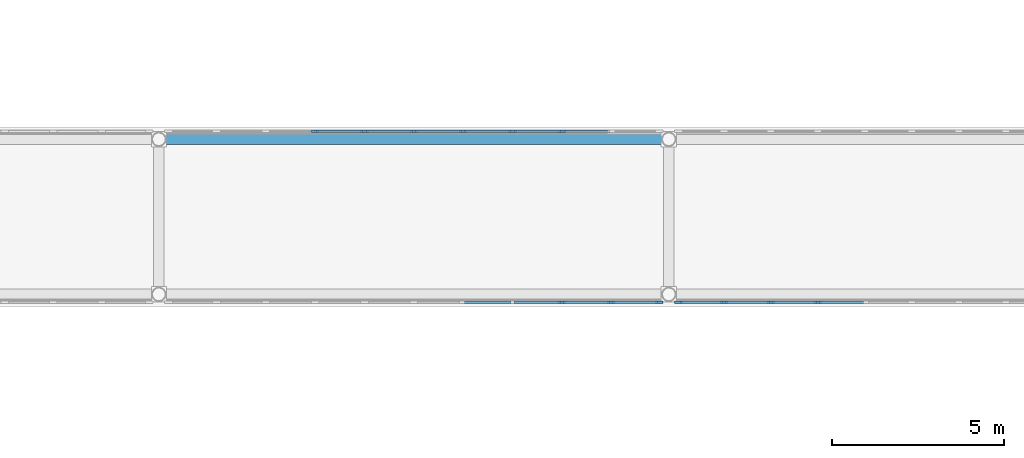
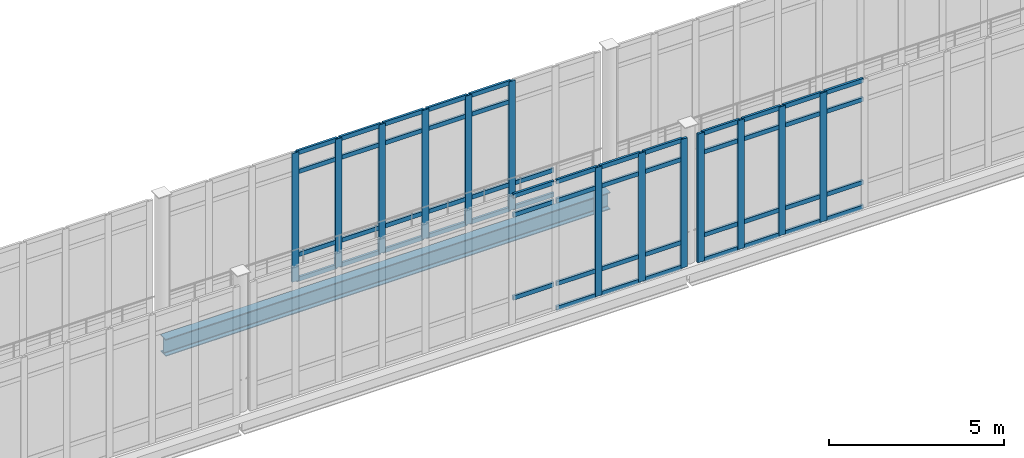
# One storey, part 21 of 89: 66 members, 1 beam, 3 elements without a shape of their own.
"""IFC4 building model written with IfcOpenShell, lengths in metres."""

from ifc_helpers import new_model, si_unit, direction, frame, origin, origin_2d, place, context, subcontext, project, spatial, rectangle, i_section, extrude, material, material_profile, profile_set, type_object, element, aggregate, save


model = new_model("IFC4")

# Units and contexts
model_context = context("Model", 3, precision=1e-05, world=origin(), true_north=direction((0.0, 1.0)))
body_context = subcontext(model_context, "Body", "Model", "MODEL_VIEW")
ifc_project = project(units=[si_unit("LENGTHUNIT", "METRE"), si_unit("AREAUNIT", "SQUARE_METRE"), si_unit("VOLUMEUNIT", "CUBIC_METRE"), si_unit("PLANEANGLEUNIT", "RADIAN"), si_unit("MASSUNIT", "GRAM", prefix="KILO")], contexts=[model_context])

# Site, building, storey
site_placement = place(None, origin())
site = spatial("IfcSite", under=ifc_project, at=site_placement, CompositionType="ELEMENT")
building_placement = place(site_placement, origin())
building = spatial("IfcBuilding", under=site, at=building_placement, Name="Soyqirgoq Riverine Aquarium", CompositionType="ELEMENT")
storey_placement = place(building_placement, frame((0.0, 0.0, 5.39990234375)))
storey = spatial("IfcBuildingStorey", under=building, at=storey_placement, Name="L02", CompositionType="ELEMENT", Elevation=5.39990234375)

# Curtain wall, members
ifc_material_1 = material(Name="Laminated solar-control bridge curtain wall", Category="aluminium")
curtain_wall_type = type_object("IfcCurtainWallType", Name="CW_Bridge_Concourse", PredefinedType="NOTDEFINED", material=ifc_material_1)
curtain_wall_1_placement = place(storey_placement, origin())
curtain_wall_1 = element("IfcCurtainWall", 1, at=curtain_wall_1_placement, inside=storey, type_object=curtain_wall_type, Name="BR-1 L02 Curtain Wall 136", PredefinedType="NOTDEFINED")
ifc_material_2 = material(Name="Anodised aluminium 6063-T6", Category="aluminium")
ifc_material_profile_1 = material_profile(ifc_material_2, rectangle(XDim=0.080078125, YDim=0.219970703125, at=origin_2d()), Name="ALU-M 80x220")
ifc_profile_set_1 = profile_set([ifc_material_profile_1], Name="Anodised aluminium 6063-T6")
member_type_1 = type_object("IfcMemberType", Name="CWMullion_80x220", PredefinedType="MULLION", material=ifc_profile_set_1)
member_1_placement = place(storey_placement, frame((95.89599609375, 39.919921875, 0.0), z_axis=(0.0, 0.0, 1.0), x_axis=(0.0, 1.0, 0.0)))
member_1 = element("IfcMember", 2, at=member_1_placement, type_object=member_type_1, Name="CW-06 mullion 9", PredefinedType="MULLION", context=body_context, shape_type="SweptSolid", body=[
    extrude(rectangle(XDim=0.080078125, YDim=0.219970703125, at=origin_2d()), origin(), (0.0, 0.0, 1.0), 4.5),
])
member_2_placement = place(storey_placement, frame((97.327880859375, 39.919921875, 0.0), z_axis=(0.0, 0.0, 1.0), x_axis=(0.0, 1.0, 0.0)))
member_2 = element("IfcMember", 3, at=member_2_placement, type_object=member_type_1, Name="CW-06 mullion 10", PredefinedType="MULLION", context=body_context, shape_type="SweptSolid", body=[
    extrude(rectangle(XDim=0.080078125, YDim=0.219970703125, at=origin_2d()), origin(), (0.0, 0.0, 1.0), 4.5),
])
member_3_placement = place(storey_placement, frame((98.719970703125, 39.919921875, 0.0), z_axis=(0.0, 0.0, 1.0), x_axis=(0.0, 1.0, 0.0)))
member_3 = element("IfcMember", 4, at=member_3_placement, type_object=member_type_1, Name="CW-06 mullion 11", PredefinedType="MULLION", context=body_context, shape_type="SweptSolid", body=[
    extrude(rectangle(XDim=0.080078125, YDim=0.219970703125, at=origin_2d()), origin(), (0.0, 0.0, 1.0), 4.5),
])

curtain_wall_2_placement = place(storey_placement, origin())
curtain_wall_2 = element("IfcCurtainWall", 5, at=curtain_wall_2_placement, inside=storey, type_object=curtain_wall_type, Name="BR-1 L02 Curtain Wall 137", PredefinedType="NOTDEFINED")
member_4_placement = place(storey_placement, frame((99.280029296875, 39.919921875, 0.0), z_axis=(0.0, 0.0, 1.0), x_axis=(0.0, 1.0, 0.0)))
member_4 = element("IfcMember", 6, at=member_4_placement, type_object=member_type_1, Name="CW-06 mullion 1", PredefinedType="MULLION", context=body_context, shape_type="SweptSolid", body=[
    extrude(rectangle(XDim=0.080078125, YDim=0.219970703125, at=origin_2d()), origin(), (0.0, 0.0, 1.0), 4.5),
])
member_5_placement = place(storey_placement, frame((100.60205078125, 39.919921875, 0.0), z_axis=(0.0, 0.0, 1.0), x_axis=(0.0, 1.0, 0.0)))
member_5 = element("IfcMember", 7, at=member_5_placement, type_object=member_type_1, Name="CW-06 mullion 2", PredefinedType="MULLION", context=body_context, shape_type="SweptSolid", body=[
    extrude(rectangle(XDim=0.080078125, YDim=0.219970703125, at=origin_2d()), origin(), (0.0, 0.0, 1.0), 4.5),
])
member_6_placement = place(storey_placement, frame((101.964111328125, 39.919921875, 0.0), z_axis=(0.0, 0.0, 1.0), x_axis=(0.0, 1.0, 0.0)))
member_6 = element("IfcMember", 8, at=member_6_placement, type_object=member_type_1, Name="CW-06 mullion 3", PredefinedType="MULLION", context=body_context, shape_type="SweptSolid", body=[
    extrude(rectangle(XDim=0.080078125, YDim=0.219970703125, at=origin_2d()), origin(), (0.0, 0.0, 1.0), 4.5),
])
member_7_placement = place(storey_placement, frame((103.325927734375, 39.919921875, 0.0), z_axis=(0.0, 0.0, 1.0), x_axis=(0.0, 1.0, 0.0)))
member_7 = element("IfcMember", 9, at=member_7_placement, type_object=member_type_1, Name="CW-06 mullion 4", PredefinedType="MULLION", context=body_context, shape_type="SweptSolid", body=[
    extrude(rectangle(XDim=0.080078125, YDim=0.219970703125, at=origin_2d()), origin(), (0.0, 0.0, 1.0), 4.5),
])

curtain_wall_3_placement = place(storey_placement, origin())
curtain_wall_3 = element("IfcCurtainWall", 10, at=curtain_wall_3_placement, inside=storey, type_object=curtain_wall_type, Name="BR-1 L02 Curtain Wall 139", PredefinedType="NOTDEFINED")
member_8_placement = place(storey_placement, frame((88.736083984375, 44.8798828125, 0.0), z_axis=(0.0, 0.0, 1.0), x_axis=(0.0, 1.0, 0.0)))
member_8 = element("IfcMember", 11, at=member_8_placement, type_object=member_type_1, Name="CW-06 mullion 4", PredefinedType="MULLION", context=body_context, shape_type="SweptSolid", body=[
    extrude(rectangle(XDim=0.080078125, YDim=0.219970703125, at=origin_2d()), origin(), (0.0, 0.0, 1.0), 4.5),
])
member_9_placement = place(storey_placement, frame((90.16796875, 44.8798828125, 0.0), z_axis=(0.0, 0.0, 1.0), x_axis=(0.0, 1.0, 0.0)))
member_9 = element("IfcMember", 12, at=member_9_placement, type_object=member_type_1, Name="CW-06 mullion 5", PredefinedType="MULLION", context=body_context, shape_type="SweptSolid", body=[
    extrude(rectangle(XDim=0.080078125, YDim=0.219970703125, at=origin_2d()), origin(), (0.0, 0.0, 1.0), 4.5),
])
member_10_placement = place(storey_placement, frame((91.60009765625, 44.8798828125, 0.0), z_axis=(0.0, 0.0, 1.0), x_axis=(0.0, 1.0, 0.0)))
member_10 = element("IfcMember", 13, at=member_10_placement, type_object=member_type_1, Name="CW-06 mullion 6", PredefinedType="MULLION", context=body_context, shape_type="SweptSolid", body=[
    extrude(rectangle(XDim=0.080078125, YDim=0.219970703125, at=origin_2d()), origin(), (0.0, 0.0, 1.0), 4.5),
])
member_11_placement = place(storey_placement, frame((93.031982421875, 44.8798828125, 0.0), z_axis=(0.0, 0.0, 1.0), x_axis=(0.0, 1.0, 0.0)))
member_11 = element("IfcMember", 14, at=member_11_placement, type_object=member_type_1, Name="CW-06 mullion 7", PredefinedType="MULLION", context=body_context, shape_type="SweptSolid", body=[
    extrude(rectangle(XDim=0.080078125, YDim=0.219970703125, at=origin_2d()), origin(), (0.0, 0.0, 1.0), 4.5),
])
member_12_placement = place(storey_placement, frame((94.464111328125, 44.8798828125, 0.0), z_axis=(0.0, 0.0, 1.0), x_axis=(0.0, 1.0, 0.0)))
member_12 = element("IfcMember", 15, at=member_12_placement, type_object=member_type_1, Name="CW-06 mullion 8", PredefinedType="MULLION", context=body_context, shape_type="SweptSolid", body=[
    extrude(rectangle(XDim=0.080078125, YDim=0.219970703125, at=origin_2d()), origin(), (0.0, 0.0, 1.0), 4.5),
])
member_13_placement = place(storey_placement, frame((95.89599609375, 44.8798828125, 0.0), z_axis=(0.0, 0.0, 1.0), x_axis=(0.0, 1.0, 0.0)))
member_13 = element("IfcMember", 16, at=member_13_placement, type_object=member_type_1, Name="CW-06 mullion 9", PredefinedType="MULLION", context=body_context, shape_type="SweptSolid", body=[
    extrude(rectangle(XDim=0.080078125, YDim=0.219970703125, at=origin_2d()), origin(), (0.0, 0.0, 1.0), 4.5),
])

# Member
ifc_material_3 = material(Name="Anodised aluminium 6063-T6", Category="aluminium")
ifc_material_profile_2 = material_profile(ifc_material_3, rectangle(XDim=0.074951171875, YDim=0.14990234375, at=origin_2d()), Name="ALU-T 75x150")
ifc_profile_set_2 = profile_set([ifc_material_profile_2], Name="Anodised aluminium 6063-T6")
member_type_2 = type_object("IfcMemberType", Name="CWTransom_75x150", PredefinedType="USERDEFINED", material=ifc_profile_set_2)
member_14_placement = place(storey_placement, frame((93.072021484375, 39.919921875, 0.900146484375), z_axis=(1.0, 0.0, 0.0), x_axis=(0.0, 1.0, 0.0)))
member_14 = element("IfcMember", 17, at=member_14_placement, type_object=member_type_2, Name="CW-06 transom 7.2", ObjectType="TRANSOM", PredefinedType="USERDEFINED", context=body_context, shape_type="SweptSolid", body=[
    extrude(rectangle(XDim=0.074951171875, YDim=0.14990234375, at=origin_2d()), origin(), (0.0, 0.0, 1.0), 1.35205078125),
])

member_15_placement = place(storey_placement, frame((93.072021484375, 39.919921875, 3.800048828125), z_axis=(1.0, 0.0, 0.0), x_axis=(0.0, 1.0, 0.0)))
member_15 = element("IfcMember", 18, at=member_15_placement, type_object=member_type_2, Name="CW-06 transom 7.3", ObjectType="TRANSOM", PredefinedType="USERDEFINED", context=body_context, shape_type="SweptSolid", body=[
    extrude(rectangle(XDim=0.074951171875, YDim=0.14990234375, at=origin_2d()), origin(), (0.0, 0.0, 1.0), 1.35205078125),
])

member_16_placement = place(storey_placement, frame((93.072021484375, 39.919921875, 4.462646484375), z_axis=(1.0, 0.0, 0.0), x_axis=(0.0, 1.0, 0.0)))
member_16 = element("IfcMember", 19, at=member_16_placement, type_object=member_type_2, Name="CW-06 transom 7.4", ObjectType="TRANSOM", PredefinedType="USERDEFINED", context=body_context, shape_type="SweptSolid", body=[
    extrude(rectangle(XDim=0.074951171875, YDim=0.14990234375, at=origin_2d()), origin(), (0.0, 0.0, 1.0), 1.35205078125),
])

member_17_placement = place(storey_placement, frame((94.50390625, 39.919921875, 0.03759765625), z_axis=(1.0, 0.0, 0.0), x_axis=(0.0, 1.0, 0.0)))
member_17 = element("IfcMember", 20, at=member_17_placement, type_object=member_type_2, Name="CW-06 transom 8.1", ObjectType="TRANSOM", PredefinedType="USERDEFINED", context=body_context, shape_type="SweptSolid", body=[
    extrude(rectangle(XDim=0.074951171875, YDim=0.14990234375, at=origin_2d()), origin(), (0.0, 0.0, 1.0), 1.35205078125),
])

member_18_placement = place(storey_placement, frame((94.50390625, 39.919921875, 0.900146484375), z_axis=(1.0, 0.0, 0.0), x_axis=(0.0, 1.0, 0.0)))
member_18 = element("IfcMember", 21, at=member_18_placement, type_object=member_type_2, Name="CW-06 transom 8.2", ObjectType="TRANSOM", PredefinedType="USERDEFINED", context=body_context, shape_type="SweptSolid", body=[
    extrude(rectangle(XDim=0.074951171875, YDim=0.14990234375, at=origin_2d()), origin(), (0.0, 0.0, 1.0), 1.35205078125),
])

member_19_placement = place(storey_placement, frame((94.50390625, 39.919921875, 3.800048828125), z_axis=(1.0, 0.0, 0.0), x_axis=(0.0, 1.0, 0.0)))
member_19 = element("IfcMember", 22, at=member_19_placement, type_object=member_type_2, Name="CW-06 transom 8.3", ObjectType="TRANSOM", PredefinedType="USERDEFINED", context=body_context, shape_type="SweptSolid", body=[
    extrude(rectangle(XDim=0.074951171875, YDim=0.14990234375, at=origin_2d()), origin(), (0.0, 0.0, 1.0), 1.35205078125),
])

member_20_placement = place(storey_placement, frame((94.50390625, 39.919921875, 4.462646484375), z_axis=(1.0, 0.0, 0.0), x_axis=(0.0, 1.0, 0.0)))
member_20 = element("IfcMember", 23, at=member_20_placement, type_object=member_type_2, Name="CW-06 transom 8.4", ObjectType="TRANSOM", PredefinedType="USERDEFINED", context=body_context, shape_type="SweptSolid", body=[
    extrude(rectangle(XDim=0.074951171875, YDim=0.14990234375, at=origin_2d()), origin(), (0.0, 0.0, 1.0), 1.35205078125),
])

member_21_placement = place(storey_placement, frame((95.93603515625, 39.919921875, 0.03759765625), z_axis=(1.0, 0.0, 0.0), x_axis=(0.0, 1.0, 0.0)))
member_21 = element("IfcMember", 24, at=member_21_placement, type_object=member_type_2, Name="CW-06 transom 9.1", ObjectType="TRANSOM", PredefinedType="USERDEFINED", context=body_context, shape_type="SweptSolid", body=[
    extrude(rectangle(XDim=0.074951171875, YDim=0.14990234375, at=origin_2d()), origin(), (0.0, 0.0, 1.0), 1.35205078125),
])

member_22_placement = place(storey_placement, frame((95.93603515625, 39.919921875, 0.900146484375), z_axis=(1.0, 0.0, 0.0), x_axis=(0.0, 1.0, 0.0)))
member_22 = element("IfcMember", 25, at=member_22_placement, type_object=member_type_2, Name="CW-06 transom 9.2", ObjectType="TRANSOM", PredefinedType="USERDEFINED", context=body_context, shape_type="SweptSolid", body=[
    extrude(rectangle(XDim=0.074951171875, YDim=0.14990234375, at=origin_2d()), origin(), (0.0, 0.0, 1.0), 1.35205078125),
])

member_23_placement = place(storey_placement, frame((95.93603515625, 39.919921875, 3.800048828125), z_axis=(1.0, 0.0, 0.0), x_axis=(0.0, 1.0, 0.0)))
member_23 = element("IfcMember", 26, at=member_23_placement, type_object=member_type_2, Name="CW-06 transom 9.3", ObjectType="TRANSOM", PredefinedType="USERDEFINED", context=body_context, shape_type="SweptSolid", body=[
    extrude(rectangle(XDim=0.074951171875, YDim=0.14990234375, at=origin_2d()), origin(), (0.0, 0.0, 1.0), 1.35205078125),
])

member_24_placement = place(storey_placement, frame((95.93603515625, 39.919921875, 4.462646484375), z_axis=(1.0, 0.0, 0.0), x_axis=(0.0, 1.0, 0.0)))
member_24 = element("IfcMember", 27, at=member_24_placement, type_object=member_type_2, Name="CW-06 transom 9.4", ObjectType="TRANSOM", PredefinedType="USERDEFINED", context=body_context, shape_type="SweptSolid", body=[
    extrude(rectangle(XDim=0.074951171875, YDim=0.14990234375, at=origin_2d()), origin(), (0.0, 0.0, 1.0), 1.35205078125),
])

member_25_placement = place(storey_placement, frame((97.367919921875, 39.919921875, 0.03759765625), z_axis=(1.0, 0.0, 0.0), x_axis=(0.0, 1.0, 0.0)))
member_25 = element("IfcMember", 28, at=member_25_placement, type_object=member_type_2, Name="CW-06 transom 10.1", ObjectType="TRANSOM", PredefinedType="USERDEFINED", context=body_context, shape_type="SweptSolid", body=[
    extrude(rectangle(XDim=0.074951171875, YDim=0.14990234375, at=origin_2d()), origin(), (0.0, 0.0, 1.0), 1.31201171875),
])

member_26_placement = place(storey_placement, frame((97.367919921875, 39.919921875, 0.900146484375), z_axis=(1.0, 0.0, 0.0), x_axis=(0.0, 1.0, 0.0)))
member_26 = element("IfcMember", 29, at=member_26_placement, type_object=member_type_2, Name="CW-06 transom 10.2", ObjectType="TRANSOM", PredefinedType="USERDEFINED", context=body_context, shape_type="SweptSolid", body=[
    extrude(rectangle(XDim=0.074951171875, YDim=0.14990234375, at=origin_2d()), origin(), (0.0, 0.0, 1.0), 1.31201171875),
])

member_27_placement = place(storey_placement, frame((97.367919921875, 39.919921875, 3.800048828125), z_axis=(1.0, 0.0, 0.0), x_axis=(0.0, 1.0, 0.0)))
member_27 = element("IfcMember", 30, at=member_27_placement, type_object=member_type_2, Name="CW-06 transom 10.3", ObjectType="TRANSOM", PredefinedType="USERDEFINED", context=body_context, shape_type="SweptSolid", body=[
    extrude(rectangle(XDim=0.074951171875, YDim=0.14990234375, at=origin_2d()), origin(), (0.0, 0.0, 1.0), 1.31201171875),
])

member_28_placement = place(storey_placement, frame((97.367919921875, 39.919921875, 4.462646484375), z_axis=(1.0, 0.0, 0.0), x_axis=(0.0, 1.0, 0.0)))
member_28 = element("IfcMember", 31, at=member_28_placement, type_object=member_type_2, Name="CW-06 transom 10.4", ObjectType="TRANSOM", PredefinedType="USERDEFINED", context=body_context, shape_type="SweptSolid", body=[
    extrude(rectangle(XDim=0.074951171875, YDim=0.14990234375, at=origin_2d()), origin(), (0.0, 0.0, 1.0), 1.31201171875),
])

aggregate(curtain_wall_1, [member_1, member_2, member_3, member_14, member_15, member_16, member_17, member_18, member_19, member_20, member_21, member_22, member_23, member_24, member_25, member_26, member_27, member_28])

member_29_placement = place(storey_placement, frame((99.320068359375, 39.919921875, 0.03759765625), z_axis=(1.0, 0.0, 0.0), x_axis=(0.0, 1.0, 0.0)))
member_29 = element("IfcMember", 32, at=member_29_placement, type_object=member_type_2, Name="CW-06 transom 1.1", ObjectType="TRANSOM", PredefinedType="USERDEFINED", context=body_context, shape_type="SweptSolid", body=[
    extrude(rectangle(XDim=0.074951171875, YDim=0.14990234375, at=origin_2d()), origin(), (0.0, 0.0, 1.0), 1.241943359375),
])

member_30_placement = place(storey_placement, frame((99.320068359375, 39.919921875, 0.900146484375), z_axis=(1.0, 0.0, 0.0), x_axis=(0.0, 1.0, 0.0)))
member_30 = element("IfcMember", 33, at=member_30_placement, type_object=member_type_2, Name="CW-06 transom 1.2", ObjectType="TRANSOM", PredefinedType="USERDEFINED", context=body_context, shape_type="SweptSolid", body=[
    extrude(rectangle(XDim=0.074951171875, YDim=0.14990234375, at=origin_2d()), origin(), (0.0, 0.0, 1.0), 1.241943359375),
])

member_31_placement = place(storey_placement, frame((99.320068359375, 39.919921875, 3.800048828125), z_axis=(1.0, 0.0, 0.0), x_axis=(0.0, 1.0, 0.0)))
member_31 = element("IfcMember", 34, at=member_31_placement, type_object=member_type_2, Name="CW-06 transom 1.3", ObjectType="TRANSOM", PredefinedType="USERDEFINED", context=body_context, shape_type="SweptSolid", body=[
    extrude(rectangle(XDim=0.074951171875, YDim=0.14990234375, at=origin_2d()), origin(), (0.0, 0.0, 1.0), 1.241943359375),
])

member_32_placement = place(storey_placement, frame((99.320068359375, 39.919921875, 4.462646484375), z_axis=(1.0, 0.0, 0.0), x_axis=(0.0, 1.0, 0.0)))
member_32 = element("IfcMember", 35, at=member_32_placement, type_object=member_type_2, Name="CW-06 transom 1.4", ObjectType="TRANSOM", PredefinedType="USERDEFINED", context=body_context, shape_type="SweptSolid", body=[
    extrude(rectangle(XDim=0.074951171875, YDim=0.14990234375, at=origin_2d()), origin(), (0.0, 0.0, 1.0), 1.241943359375),
])

member_33_placement = place(storey_placement, frame((100.64208984375, 39.919921875, 0.03759765625), z_axis=(1.0, 0.0, 0.0), x_axis=(0.0, 1.0, 0.0)))
member_33 = element("IfcMember", 36, at=member_33_placement, type_object=member_type_2, Name="CW-06 transom 2.1", ObjectType="TRANSOM", PredefinedType="USERDEFINED", context=body_context, shape_type="SweptSolid", body=[
    extrude(rectangle(XDim=0.074951171875, YDim=0.14990234375, at=origin_2d()), origin(), (0.0, 0.0, 1.0), 1.281982421875),
])

member_34_placement = place(storey_placement, frame((100.64208984375, 39.919921875, 0.900146484375), z_axis=(1.0, 0.0, 0.0), x_axis=(0.0, 1.0, 0.0)))
member_34 = element("IfcMember", 37, at=member_34_placement, type_object=member_type_2, Name="CW-06 transom 2.2", ObjectType="TRANSOM", PredefinedType="USERDEFINED", context=body_context, shape_type="SweptSolid", body=[
    extrude(rectangle(XDim=0.074951171875, YDim=0.14990234375, at=origin_2d()), origin(), (0.0, 0.0, 1.0), 1.281982421875),
])

member_35_placement = place(storey_placement, frame((100.64208984375, 39.919921875, 3.800048828125), z_axis=(1.0, 0.0, 0.0), x_axis=(0.0, 1.0, 0.0)))
member_35 = element("IfcMember", 38, at=member_35_placement, type_object=member_type_2, Name="CW-06 transom 2.3", ObjectType="TRANSOM", PredefinedType="USERDEFINED", context=body_context, shape_type="SweptSolid", body=[
    extrude(rectangle(XDim=0.074951171875, YDim=0.14990234375, at=origin_2d()), origin(), (0.0, 0.0, 1.0), 1.281982421875),
])

member_36_placement = place(storey_placement, frame((100.64208984375, 39.919921875, 4.462646484375), z_axis=(1.0, 0.0, 0.0), x_axis=(0.0, 1.0, 0.0)))
member_36 = element("IfcMember", 39, at=member_36_placement, type_object=member_type_2, Name="CW-06 transom 2.4", ObjectType="TRANSOM", PredefinedType="USERDEFINED", context=body_context, shape_type="SweptSolid", body=[
    extrude(rectangle(XDim=0.074951171875, YDim=0.14990234375, at=origin_2d()), origin(), (0.0, 0.0, 1.0), 1.281982421875),
])

member_37_placement = place(storey_placement, frame((102.00390625, 39.919921875, 0.03759765625), z_axis=(1.0, 0.0, 0.0), x_axis=(0.0, 1.0, 0.0)))
member_37 = element("IfcMember", 40, at=member_37_placement, type_object=member_type_2, Name="CW-06 transom 3.1", ObjectType="TRANSOM", PredefinedType="USERDEFINED", context=body_context, shape_type="SweptSolid", body=[
    extrude(rectangle(XDim=0.074951171875, YDim=0.14990234375, at=origin_2d()), origin(), (0.0, 0.0, 1.0), 1.281982421875),
])

member_38_placement = place(storey_placement, frame((102.00390625, 39.919921875, 0.900146484375), z_axis=(1.0, 0.0, 0.0), x_axis=(0.0, 1.0, 0.0)))
member_38 = element("IfcMember", 41, at=member_38_placement, type_object=member_type_2, Name="CW-06 transom 3.2", ObjectType="TRANSOM", PredefinedType="USERDEFINED", context=body_context, shape_type="SweptSolid", body=[
    extrude(rectangle(XDim=0.074951171875, YDim=0.14990234375, at=origin_2d()), origin(), (0.0, 0.0, 1.0), 1.281982421875),
])

member_39_placement = place(storey_placement, frame((102.00390625, 39.919921875, 3.800048828125), z_axis=(1.0, 0.0, 0.0), x_axis=(0.0, 1.0, 0.0)))
member_39 = element("IfcMember", 42, at=member_39_placement, type_object=member_type_2, Name="CW-06 transom 3.3", ObjectType="TRANSOM", PredefinedType="USERDEFINED", context=body_context, shape_type="SweptSolid", body=[
    extrude(rectangle(XDim=0.074951171875, YDim=0.14990234375, at=origin_2d()), origin(), (0.0, 0.0, 1.0), 1.281982421875),
])

member_40_placement = place(storey_placement, frame((102.00390625, 39.919921875, 4.462646484375), z_axis=(1.0, 0.0, 0.0), x_axis=(0.0, 1.0, 0.0)))
member_40 = element("IfcMember", 43, at=member_40_placement, type_object=member_type_2, Name="CW-06 transom 3.4", ObjectType="TRANSOM", PredefinedType="USERDEFINED", context=body_context, shape_type="SweptSolid", body=[
    extrude(rectangle(XDim=0.074951171875, YDim=0.14990234375, at=origin_2d()), origin(), (0.0, 0.0, 1.0), 1.281982421875),
])

member_41_placement = place(storey_placement, frame((103.365966796875, 39.919921875, 0.03759765625), z_axis=(1.0, 0.0, 0.0), x_axis=(0.0, 1.0, 0.0)))
member_41 = element("IfcMember", 44, at=member_41_placement, type_object=member_type_2, Name="CW-06 transom 4.1", ObjectType="TRANSOM", PredefinedType="USERDEFINED", context=body_context, shape_type="SweptSolid", body=[
    extrude(rectangle(XDim=0.074951171875, YDim=0.14990234375, at=origin_2d()), origin(), (0.0, 0.0, 1.0), 1.281982421875),
])

member_42_placement = place(storey_placement, frame((103.365966796875, 39.919921875, 0.900146484375), z_axis=(1.0, 0.0, 0.0), x_axis=(0.0, 1.0, 0.0)))
member_42 = element("IfcMember", 45, at=member_42_placement, type_object=member_type_2, Name="CW-06 transom 4.2", ObjectType="TRANSOM", PredefinedType="USERDEFINED", context=body_context, shape_type="SweptSolid", body=[
    extrude(rectangle(XDim=0.074951171875, YDim=0.14990234375, at=origin_2d()), origin(), (0.0, 0.0, 1.0), 1.281982421875),
])

member_43_placement = place(storey_placement, frame((103.365966796875, 39.919921875, 3.800048828125), z_axis=(1.0, 0.0, 0.0), x_axis=(0.0, 1.0, 0.0)))
member_43 = element("IfcMember", 46, at=member_43_placement, type_object=member_type_2, Name="CW-06 transom 4.3", ObjectType="TRANSOM", PredefinedType="USERDEFINED", context=body_context, shape_type="SweptSolid", body=[
    extrude(rectangle(XDim=0.074951171875, YDim=0.14990234375, at=origin_2d()), origin(), (0.0, 0.0, 1.0), 1.281982421875),
])

member_44_placement = place(storey_placement, frame((103.365966796875, 39.919921875, 4.462646484375), z_axis=(1.0, 0.0, 0.0), x_axis=(0.0, 1.0, 0.0)))
member_44 = element("IfcMember", 47, at=member_44_placement, type_object=member_type_2, Name="CW-06 transom 4.4", ObjectType="TRANSOM", PredefinedType="USERDEFINED", context=body_context, shape_type="SweptSolid", body=[
    extrude(rectangle(XDim=0.074951171875, YDim=0.14990234375, at=origin_2d()), origin(), (0.0, 0.0, 1.0), 1.281982421875),
])

aggregate(curtain_wall_2, [member_4, member_5, member_6, member_7, member_29, member_30, member_31, member_32, member_33, member_34, member_35, member_36, member_37, member_38, member_39, member_40, member_41, member_42, member_43, member_44])

member_45_placement = place(storey_placement, frame((88.77587890625, 44.8798828125, 0.03759765625), z_axis=(1.0, 0.0, 0.0), x_axis=(0.0, 1.0, 0.0)))
member_45 = element("IfcMember", 48, at=member_45_placement, type_object=member_type_2, Name="CW-06 transom 4.1", ObjectType="TRANSOM", PredefinedType="USERDEFINED", context=body_context, shape_type="SweptSolid", body=[
    extrude(rectangle(XDim=0.074951171875, YDim=0.14990234375, at=origin_2d()), origin(), (0.0, 0.0, 1.0), 1.35205078125),
])

member_46_placement = place(storey_placement, frame((88.77587890625, 44.8798828125, 0.900146484375), z_axis=(1.0, 0.0, 0.0), x_axis=(0.0, 1.0, 0.0)))
member_46 = element("IfcMember", 49, at=member_46_placement, type_object=member_type_2, Name="CW-06 transom 4.2", ObjectType="TRANSOM", PredefinedType="USERDEFINED", context=body_context, shape_type="SweptSolid", body=[
    extrude(rectangle(XDim=0.074951171875, YDim=0.14990234375, at=origin_2d()), origin(), (0.0, 0.0, 1.0), 1.35205078125),
])

member_47_placement = place(storey_placement, frame((88.77587890625, 44.8798828125, 3.800048828125), z_axis=(1.0, 0.0, 0.0), x_axis=(0.0, 1.0, 0.0)))
member_47 = element("IfcMember", 50, at=member_47_placement, type_object=member_type_2, Name="CW-06 transom 4.3", ObjectType="TRANSOM", PredefinedType="USERDEFINED", context=body_context, shape_type="SweptSolid", body=[
    extrude(rectangle(XDim=0.074951171875, YDim=0.14990234375, at=origin_2d()), origin(), (0.0, 0.0, 1.0), 1.35205078125),
])

member_48_placement = place(storey_placement, frame((88.77587890625, 44.8798828125, 4.462646484375), z_axis=(1.0, 0.0, 0.0), x_axis=(0.0, 1.0, 0.0)))
member_48 = element("IfcMember", 51, at=member_48_placement, type_object=member_type_2, Name="CW-06 transom 4.4", ObjectType="TRANSOM", PredefinedType="USERDEFINED", context=body_context, shape_type="SweptSolid", body=[
    extrude(rectangle(XDim=0.074951171875, YDim=0.14990234375, at=origin_2d()), origin(), (0.0, 0.0, 1.0), 1.35205078125),
])

member_49_placement = place(storey_placement, frame((90.2080078125, 44.8798828125, 0.03759765625), z_axis=(1.0, 0.0, 0.0), x_axis=(0.0, 1.0, 0.0)))
member_49 = element("IfcMember", 52, at=member_49_placement, type_object=member_type_2, Name="CW-06 transom 5.1", ObjectType="TRANSOM", PredefinedType="USERDEFINED", context=body_context, shape_type="SweptSolid", body=[
    extrude(rectangle(XDim=0.074951171875, YDim=0.14990234375, at=origin_2d()), origin(), (0.0, 0.0, 1.0), 1.35205078125),
])

member_50_placement = place(storey_placement, frame((90.2080078125, 44.8798828125, 0.900146484375), z_axis=(1.0, 0.0, 0.0), x_axis=(0.0, 1.0, 0.0)))
member_50 = element("IfcMember", 53, at=member_50_placement, type_object=member_type_2, Name="CW-06 transom 5.2", ObjectType="TRANSOM", PredefinedType="USERDEFINED", context=body_context, shape_type="SweptSolid", body=[
    extrude(rectangle(XDim=0.074951171875, YDim=0.14990234375, at=origin_2d()), origin(), (0.0, 0.0, 1.0), 1.35205078125),
])

member_51_placement = place(storey_placement, frame((90.2080078125, 44.8798828125, 3.800048828125), z_axis=(1.0, 0.0, 0.0), x_axis=(0.0, 1.0, 0.0)))
member_51 = element("IfcMember", 54, at=member_51_placement, type_object=member_type_2, Name="CW-06 transom 5.3", ObjectType="TRANSOM", PredefinedType="USERDEFINED", context=body_context, shape_type="SweptSolid", body=[
    extrude(rectangle(XDim=0.074951171875, YDim=0.14990234375, at=origin_2d()), origin(), (0.0, 0.0, 1.0), 1.35205078125),
])

member_52_placement = place(storey_placement, frame((90.2080078125, 44.8798828125, 4.462646484375), z_axis=(1.0, 0.0, 0.0), x_axis=(0.0, 1.0, 0.0)))
member_52 = element("IfcMember", 55, at=member_52_placement, type_object=member_type_2, Name="CW-06 transom 5.4", ObjectType="TRANSOM", PredefinedType="USERDEFINED", context=body_context, shape_type="SweptSolid", body=[
    extrude(rectangle(XDim=0.074951171875, YDim=0.14990234375, at=origin_2d()), origin(), (0.0, 0.0, 1.0), 1.35205078125),
])

member_53_placement = place(storey_placement, frame((91.639892578125, 44.8798828125, 0.03759765625), z_axis=(1.0, 0.0, 0.0), x_axis=(0.0, 1.0, 0.0)))
member_53 = element("IfcMember", 56, at=member_53_placement, type_object=member_type_2, Name="CW-06 transom 6.1", ObjectType="TRANSOM", PredefinedType="USERDEFINED", context=body_context, shape_type="SweptSolid", body=[
    extrude(rectangle(XDim=0.074951171875, YDim=0.14990234375, at=origin_2d()), origin(), (0.0, 0.0, 1.0), 1.35205078125),
])

member_54_placement = place(storey_placement, frame((91.639892578125, 44.8798828125, 0.900146484375), z_axis=(1.0, 0.0, 0.0), x_axis=(0.0, 1.0, 0.0)))
member_54 = element("IfcMember", 57, at=member_54_placement, type_object=member_type_2, Name="CW-06 transom 6.2", ObjectType="TRANSOM", PredefinedType="USERDEFINED", context=body_context, shape_type="SweptSolid", body=[
    extrude(rectangle(XDim=0.074951171875, YDim=0.14990234375, at=origin_2d()), origin(), (0.0, 0.0, 1.0), 1.35205078125),
])

member_55_placement = place(storey_placement, frame((91.639892578125, 44.8798828125, 3.800048828125), z_axis=(1.0, 0.0, 0.0), x_axis=(0.0, 1.0, 0.0)))
member_55 = element("IfcMember", 58, at=member_55_placement, type_object=member_type_2, Name="CW-06 transom 6.3", ObjectType="TRANSOM", PredefinedType="USERDEFINED", context=body_context, shape_type="SweptSolid", body=[
    extrude(rectangle(XDim=0.074951171875, YDim=0.14990234375, at=origin_2d()), origin(), (0.0, 0.0, 1.0), 1.35205078125),
])

member_56_placement = place(storey_placement, frame((91.639892578125, 44.8798828125, 4.462646484375), z_axis=(1.0, 0.0, 0.0), x_axis=(0.0, 1.0, 0.0)))
member_56 = element("IfcMember", 59, at=member_56_placement, type_object=member_type_2, Name="CW-06 transom 6.4", ObjectType="TRANSOM", PredefinedType="USERDEFINED", context=body_context, shape_type="SweptSolid", body=[
    extrude(rectangle(XDim=0.074951171875, YDim=0.14990234375, at=origin_2d()), origin(), (0.0, 0.0, 1.0), 1.35205078125),
])

member_57_placement = place(storey_placement, frame((93.072021484375, 44.8798828125, 0.03759765625), z_axis=(1.0, 0.0, 0.0), x_axis=(0.0, 1.0, 0.0)))
member_57 = element("IfcMember", 60, at=member_57_placement, type_object=member_type_2, Name="CW-06 transom 7.1", ObjectType="TRANSOM", PredefinedType="USERDEFINED", context=body_context, shape_type="SweptSolid", body=[
    extrude(rectangle(XDim=0.074951171875, YDim=0.14990234375, at=origin_2d()), origin(), (0.0, 0.0, 1.0), 1.35205078125),
])

member_58_placement = place(storey_placement, frame((93.072021484375, 44.8798828125, 0.900146484375), z_axis=(1.0, 0.0, 0.0), x_axis=(0.0, 1.0, 0.0)))
member_58 = element("IfcMember", 61, at=member_58_placement, type_object=member_type_2, Name="CW-06 transom 7.2", ObjectType="TRANSOM", PredefinedType="USERDEFINED", context=body_context, shape_type="SweptSolid", body=[
    extrude(rectangle(XDim=0.074951171875, YDim=0.14990234375, at=origin_2d()), origin(), (0.0, 0.0, 1.0), 1.35205078125),
])

member_59_placement = place(storey_placement, frame((93.072021484375, 44.8798828125, 3.800048828125), z_axis=(1.0, 0.0, 0.0), x_axis=(0.0, 1.0, 0.0)))
member_59 = element("IfcMember", 62, at=member_59_placement, type_object=member_type_2, Name="CW-06 transom 7.3", ObjectType="TRANSOM", PredefinedType="USERDEFINED", context=body_context, shape_type="SweptSolid", body=[
    extrude(rectangle(XDim=0.074951171875, YDim=0.14990234375, at=origin_2d()), origin(), (0.0, 0.0, 1.0), 1.35205078125),
])

member_60_placement = place(storey_placement, frame((93.072021484375, 44.8798828125, 4.462646484375), z_axis=(1.0, 0.0, 0.0), x_axis=(0.0, 1.0, 0.0)))
member_60 = element("IfcMember", 63, at=member_60_placement, type_object=member_type_2, Name="CW-06 transom 7.4", ObjectType="TRANSOM", PredefinedType="USERDEFINED", context=body_context, shape_type="SweptSolid", body=[
    extrude(rectangle(XDim=0.074951171875, YDim=0.14990234375, at=origin_2d()), origin(), (0.0, 0.0, 1.0), 1.35205078125),
])

member_61_placement = place(storey_placement, frame((94.50390625, 44.8798828125, 0.03759765625), z_axis=(1.0, 0.0, 0.0), x_axis=(0.0, 1.0, 0.0)))
member_61 = element("IfcMember", 64, at=member_61_placement, type_object=member_type_2, Name="CW-06 transom 8.1", ObjectType="TRANSOM", PredefinedType="USERDEFINED", context=body_context, shape_type="SweptSolid", body=[
    extrude(rectangle(XDim=0.074951171875, YDim=0.14990234375, at=origin_2d()), origin(), (0.0, 0.0, 1.0), 1.35205078125),
])

member_62_placement = place(storey_placement, frame((94.50390625, 44.8798828125, 0.900146484375), z_axis=(1.0, 0.0, 0.0), x_axis=(0.0, 1.0, 0.0)))
member_62 = element("IfcMember", 65, at=member_62_placement, type_object=member_type_2, Name="CW-06 transom 8.2", ObjectType="TRANSOM", PredefinedType="USERDEFINED", context=body_context, shape_type="SweptSolid", body=[
    extrude(rectangle(XDim=0.074951171875, YDim=0.14990234375, at=origin_2d()), origin(), (0.0, 0.0, 1.0), 1.35205078125),
])

member_63_placement = place(storey_placement, frame((94.50390625, 44.8798828125, 3.800048828125), z_axis=(1.0, 0.0, 0.0), x_axis=(0.0, 1.0, 0.0)))
member_63 = element("IfcMember", 66, at=member_63_placement, type_object=member_type_2, Name="CW-06 transom 8.3", ObjectType="TRANSOM", PredefinedType="USERDEFINED", context=body_context, shape_type="SweptSolid", body=[
    extrude(rectangle(XDim=0.074951171875, YDim=0.14990234375, at=origin_2d()), origin(), (0.0, 0.0, 1.0), 1.35205078125),
])

member_64_placement = place(storey_placement, frame((94.50390625, 44.8798828125, 4.462646484375), z_axis=(1.0, 0.0, 0.0), x_axis=(0.0, 1.0, 0.0)))
member_64 = element("IfcMember", 67, at=member_64_placement, type_object=member_type_2, Name="CW-06 transom 8.4", ObjectType="TRANSOM", PredefinedType="USERDEFINED", context=body_context, shape_type="SweptSolid", body=[
    extrude(rectangle(XDim=0.074951171875, YDim=0.14990234375, at=origin_2d()), origin(), (0.0, 0.0, 1.0), 1.35205078125),
])

member_65_placement = place(storey_placement, frame((95.93603515625, 44.8798828125, 0.03759765625), z_axis=(1.0, 0.0, 0.0), x_axis=(0.0, 1.0, 0.0)))
member_65 = element("IfcMember", 68, at=member_65_placement, type_object=member_type_2, Name="CW-06 transom 9.1", ObjectType="TRANSOM", PredefinedType="USERDEFINED", context=body_context, shape_type="SweptSolid", body=[
    extrude(rectangle(XDim=0.074951171875, YDim=0.14990234375, at=origin_2d()), origin(), (0.0, 0.0, 1.0), 1.35205078125),
])

member_66_placement = place(storey_placement, frame((95.93603515625, 44.8798828125, 0.900146484375), z_axis=(1.0, 0.0, 0.0), x_axis=(0.0, 1.0, 0.0)))
member_66 = element("IfcMember", 69, at=member_66_placement, type_object=member_type_2, Name="CW-06 transom 9.2", ObjectType="TRANSOM", PredefinedType="USERDEFINED", context=body_context, shape_type="SweptSolid", body=[
    extrude(rectangle(XDim=0.074951171875, YDim=0.14990234375, at=origin_2d()), origin(), (0.0, 0.0, 1.0), 1.35205078125),
])

aggregate(curtain_wall_3, [member_8, member_9, member_10, member_11, member_12, member_13, member_45, member_46, member_47, member_48, member_49, member_50, member_51, member_52, member_53, member_54, member_55, member_56, member_57, member_58, member_59, member_60, member_61, member_62, member_63, member_64, member_65, member_66])

# Beam
ifc_material_4 = material(Name="Structural steel S355", Category="steel")
ifc_material_profile_3 = material_profile(ifc_material_4, i_section(OverallWidth=0.300048828125, OverallDepth=0.60009765625, WebThickness=0.015380859375, FlangeThickness=0.030029296875, FilletRadius=0.027099609375, at=origin_2d()), Name="HEB 600")
ifc_profile_set_3 = profile_set([ifc_material_profile_3], Name="Structural steel S355")
beam_type = type_object("IfcBeamType", Name="SteelGirder_HEB600", PredefinedType="BEAM", material=ifc_profile_set_3)
beam_placement = place(storey_placement, frame((84.25, 44.64990234375, -0.5498046875), z_axis=(1.0, 0.0, 0.0), x_axis=(0.0, 1.0, 0.0)))
element("IfcBeam", 70, at=beam_placement, inside=storey, type_object=beam_type, Name="BR-1 L02 Bridge Deck Longitudinal Girder 1435", PredefinedType="BEAM", context=body_context, shape_type="SweptSolid", body=[
    extrude(i_section(OverallWidth=0.300048828125, OverallDepth=0.60009765625, WebThickness=0.015380859375, FlangeThickness=0.030029296875, FilletRadius=0.027099609375, at=origin_2d()), origin(), (0.0, 0.0, 1.0), 14.699951171875),
])

save(model, "model.ifc")
